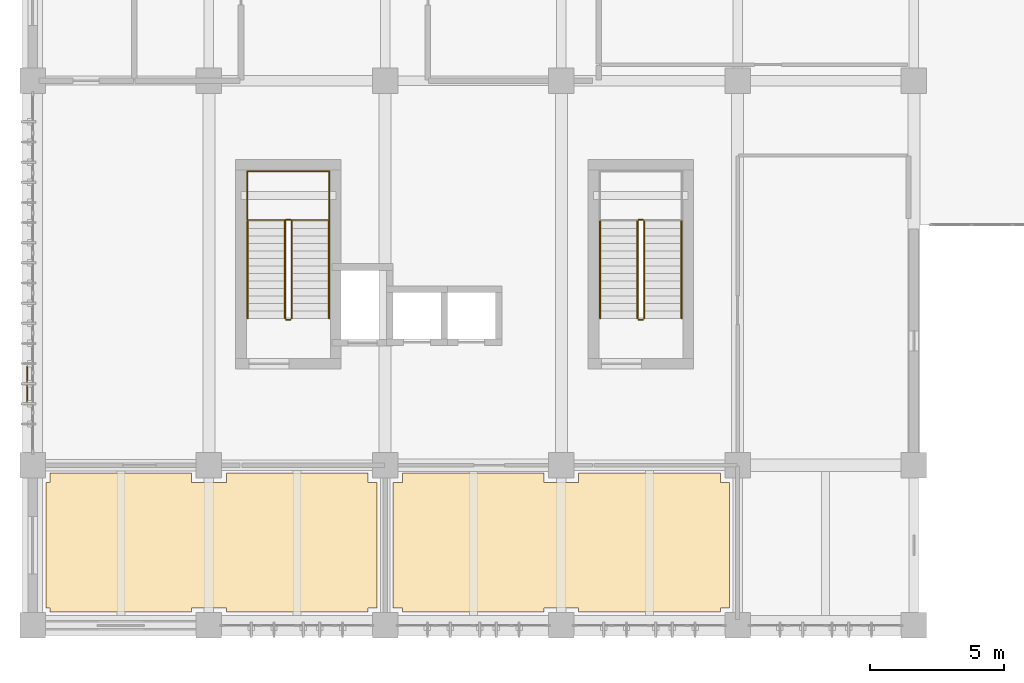
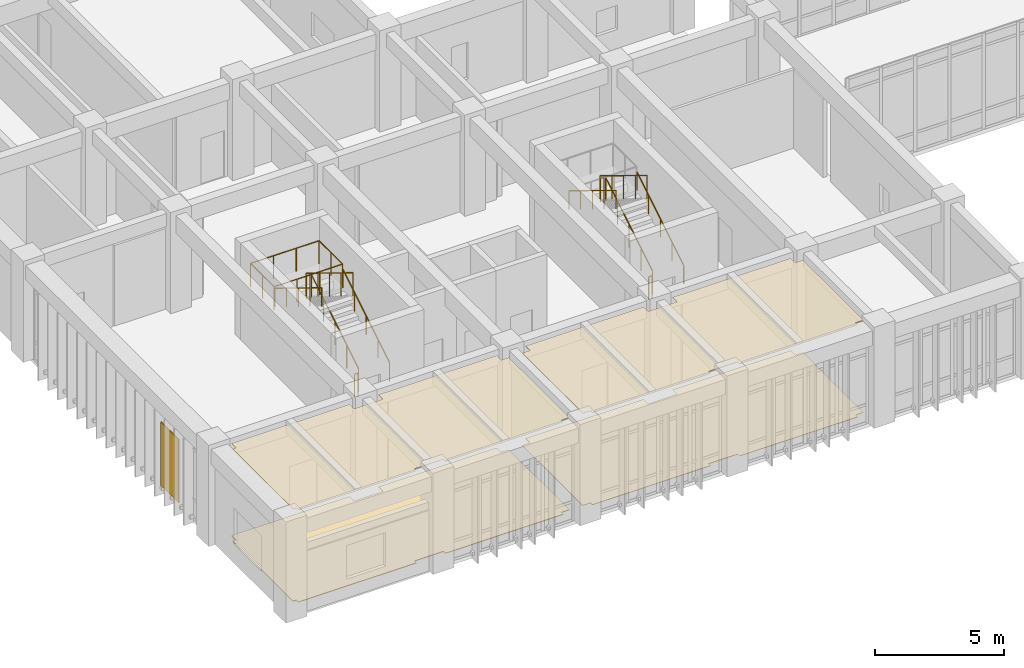
# One storey, part 60 of 68: 14 railings, 5 coverings.
"""IFC4 building model written with IfcOpenShell, lengths in metres."""

from ifc_helpers import new_model, si_unit, direction, frame, origin, origin_2d, place, context, subcontext, project, spatial, polyline, rectangle, circle, outline, extrude, material, layer, layer_set, type_object, element, save


model = new_model("IFC4")

# Units and contexts
model_context = context("Model", 3, precision=1e-05, world=origin(), true_north=direction((0.0, 1.0)))
body_context = subcontext(model_context, "Body", "Model", "MODEL_VIEW")
ifc_project = project(units=[si_unit("LENGTHUNIT", "METRE"), si_unit("AREAUNIT", "SQUARE_METRE"), si_unit("VOLUMEUNIT", "CUBIC_METRE"), si_unit("PLANEANGLEUNIT", "RADIAN"), si_unit("MASSUNIT", "GRAM", prefix="KILO")], contexts=[model_context])

# Site, building, storey
site_placement = place(None, origin())
site = spatial("IfcSite", under=ifc_project, at=site_placement, CompositionType="ELEMENT")
building_placement = place(site_placement, origin())
building = spatial("IfcBuilding", under=site, at=building_placement, Name="Miralva Faculty of Natural Sciences", CompositionType="ELEMENT")
storey_placement = place(building_placement, frame((0.0, 0.0, 5.39990234375)))
storey = spatial("IfcBuildingStorey", under=building, at=storey_placement, Name="L01", CompositionType="ELEMENT", Elevation=5.39990234375)

# Coverings
ifc_material_1 = material(Name="Volcanic tuff architectural stone", Category="masonry")
ifc_layer_1 = layer(ifc_material_1, 0.044921875, Name="COV-CD01")
ifc_layer_set_1 = layer_set([ifc_layer_1], Name="Volcanic tuff architectural stone")
covering_type_1 = type_object("IfcCoveringType", Name="COV-CD01", PredefinedType="CLADDING", material=ifc_layer_set_1)
covering_1_placement = place(storey_placement, frame((2.800048828125, 12.0, 0.300048828125), z_axis=(0.0, 0.0, 1.0), x_axis=(1.0, 0.0, 0.0)))
element("IfcCovering", 1, at=covering_1_placement, inside=storey, type_object=covering_type_1, Name="Volcanic tuff stone corner fascia cladding L01", PredefinedType="CLADDING", context=body_context, shape_type="SweptSolid", body=[
    extrude(rectangle(XDim=0.044921875, YDim=1.39990234375, at=origin_2d()), origin(), (0.0, 0.0, 1.0), 3.0),
])
ifc_material_2 = material(Name="Acoustic mineral-fibre board")
ifc_layer_2 = layer(ifc_material_2, 0.02197265625, Name="COV-CL01")
ifc_layer_set_2 = layer_set([ifc_layer_2], Name="Acoustic mineral-fibre board")
covering_type_2 = type_object("IfcCoveringType", Name="COV-CL01", PredefinedType="CEILING", material=ifc_layer_set_2)
covering_2_placement = place(storey_placement, frame((0.0, 0.0, 4.378173828125)))
element("IfcCovering", 2, at=covering_2_placement, inside=storey, type_object=covering_type_2, Name="Suspended acoustic ceiling L01-01", PredefinedType="CEILING", context=body_context, shape_type="SweptSolid", body=[
    extrude(outline(polyline([(10.25, 8.699951171875), (15.550048828125, 8.699951171875), (15.550048828125, 8.35009765625), (15.89990234375, 8.35009765625), (15.89990234375, 3.64990234375), (15.550048828125, 3.64990234375), (15.550048828125, 3.5), (10.25, 3.5), (10.25, 3.64990234375), (8.949951171875, 3.64990234375), (8.949951171875, 3.5), (3.64990234375, 3.5), (3.64990234375, 3.64990234375), (3.5, 3.64990234375), (3.5, 8.35009765625), (3.64990234375, 8.35009765625), (3.64990234375, 8.699951171875), (8.949951171875, 8.699951171875), (8.949951171875, 8.35009765625), (10.25, 8.35009765625), (10.25, 8.699951171875)])), origin(), (0.0, 0.0, 1.0), 0.02197265625),
])
ifc_material_3 = material(Name="Gypsum plasterboard")
ifc_layer_3 = layer(ifc_material_3, 0.028076171875, Name="COV-CL02")
ifc_layer_set_3 = layer_set([ifc_layer_3], Name="Gypsum plasterboard")
covering_type_3 = type_object("IfcCoveringType", Name="COV-CL02", PredefinedType="CEILING", material=ifc_layer_set_3)
covering_3_placement = place(storey_placement, frame((0.0, 0.0, 4.3720703125)))
element("IfcCovering", 3, at=covering_3_placement, inside=storey, type_object=covering_type_3, Name="Suspended acoustic ceiling L01-02", PredefinedType="CEILING", context=body_context, shape_type="SweptSolid", body=[
    extrude(outline(polyline([(16.85009765625, 3.64990234375), (16.5, 3.64990234375), (16.5, 8.35009765625), (16.85009765625, 8.35009765625), (16.85009765625, 8.699951171875), (22.14990234375, 8.699951171875), (22.14990234375, 8.35009765625), (23.449951171875, 8.35009765625), (23.449951171875, 8.699951171875), (28.75, 8.699951171875), (28.75, 8.35009765625), (29.10009765625, 8.35009765625), (29.10009765625, 3.64990234375), (28.75, 3.64990234375), (28.75, 3.5), (23.449951171875, 3.5), (23.449951171875, 3.64990234375), (22.14990234375, 3.64990234375), (22.14990234375, 3.5), (16.85009765625, 3.5), (16.85009765625, 3.64990234375)])), origin(), (0.0, 0.0, 1.0), 0.028076171875),
])
ifc_material_4 = material(Name="Polished terrazzo flooring")
ifc_layer_4 = layer(ifc_material_4, 0.030029296875, Name="COV-FL01")
ifc_layer_set_4 = layer_set([ifc_layer_4], Name="Polished terrazzo flooring")
covering_type_4 = type_object("IfcCoveringType", Name="COV-FL01", PredefinedType="FLOORING", material=ifc_layer_set_4)
covering_4_placement = place(storey_placement, origin())
element("IfcCovering", 4, at=covering_4_placement, inside=storey, type_object=covering_type_4, Name="Finished flooring L01-01", PredefinedType="FLOORING", context=body_context, shape_type="SweptSolid", body=[
    extrude(outline(polyline([(10.25, 8.699951171875), (15.550048828125, 8.699951171875), (15.550048828125, 8.35009765625), (15.89990234375, 8.35009765625), (15.89990234375, 3.64990234375), (15.550048828125, 3.64990234375), (15.550048828125, 3.5), (10.25, 3.5), (10.25, 3.64990234375), (8.949951171875, 3.64990234375), (8.949951171875, 3.5), (3.64990234375, 3.5), (3.64990234375, 3.64990234375), (3.5, 3.64990234375), (3.5, 8.35009765625), (3.64990234375, 8.35009765625), (3.64990234375, 8.699951171875), (8.949951171875, 8.699951171875), (8.949951171875, 8.35009765625), (10.25, 8.35009765625), (10.25, 8.699951171875)])), origin(), (0.0, 0.0, 1.0), 0.030029296875),
])
ifc_layer_5 = layer(ifc_material_4, 0.01806640625, Name="COV-FL02")
ifc_layer_set_5 = layer_set([ifc_layer_5], Name="Polished terrazzo flooring")
covering_type_5 = type_object("IfcCoveringType", Name="COV-FL02", PredefinedType="FLOORING", material=ifc_layer_set_5)
covering_5_placement = place(storey_placement, origin())
element("IfcCovering", 5, at=covering_5_placement, inside=storey, type_object=covering_type_5, Name="Finished flooring L01-02", PredefinedType="FLOORING", context=body_context, shape_type="SweptSolid", body=[
    extrude(outline(polyline([(16.85009765625, 3.64990234375), (16.5, 3.64990234375), (16.5, 8.35009765625), (16.85009765625, 8.35009765625), (16.85009765625, 8.699951171875), (22.14990234375, 8.699951171875), (22.14990234375, 8.35009765625), (23.449951171875, 8.35009765625), (23.449951171875, 8.699951171875), (28.75, 8.699951171875), (28.75, 8.35009765625), (29.10009765625, 8.35009765625), (29.10009765625, 3.64990234375), (28.75, 3.64990234375), (28.75, 3.5), (23.449951171875, 3.5), (23.449951171875, 3.64990234375), (22.14990234375, 3.64990234375), (22.14990234375, 3.5), (16.85009765625, 3.5), (16.85009765625, 3.64990234375)])), origin(), (0.0, 0.0, 1.0), 0.01806640625),
])

# Railings
ifc_material_5 = material(Name="Steel S355", Category="steel")
railing_type_1 = type_object("IfcRailingType", Name="RL-GR01", PredefinedType="GUARDRAIL", material=ifc_material_5)
railing_1_placement = place(storey_placement, frame((12.699951171875, 14.5, 0.171630859375)))
element("IfcRailing", 6, at=railing_1_placement, inside=storey, type_object=railing_type_1, Name="Stair Core C1 safety guard L01-1", PredefinedType="GUARDRAIL", context=body_context, shape_type="SweptSolid", body=[
    extrude(circle(Radius=0.02392578125, at=origin_2d()), frame((0.0, 0.0, 1.09619140625), z_axis=(0.0, 0.852850264322, 0.5221555579), x_axis=(-1.0, 0.0, 0.0)), (0.0, 0.0, 1.0), 4.267822265625),
    extrude(circle(Radius=0.02099609375, at=origin_2d()), origin(), (0.0, 0.0, 1.0), 1.072021484375),
    extrude(circle(Radius=0.02099609375, at=origin_2d()), frame((0.0, 0.909912109375, 0.55712890625)), (0.0, 0.0, 1.0), 1.072021484375),
    extrude(circle(Radius=0.02099609375, at=origin_2d()), frame((0.0, 1.81982421875, 1.1142578125)), (0.0, 0.0, 1.0), 1.072021484375),
    extrude(circle(Radius=0.02099609375, at=origin_2d()), frame((0.0, 2.72998046875, 1.67138671875)), (0.0, 0.0, 1.0), 1.072021484375),
    extrude(circle(Radius=0.02099609375, at=origin_2d()), frame((0.0, 3.639892578125, 2.228515625)), (0.0, 0.0, 1.0), 1.072021484375),
])
railing_2_placement = place(storey_placement, frame((12.64990234375, 18.18994140625, 2.400146484375)))
element("IfcRailing", 7, at=railing_2_placement, inside=storey, type_object=railing_type_1, Name="Stair Core C1 safety guard L01-2", PredefinedType="GUARDRAIL", context=body_context, shape_type="SweptSolid", body=[
    extrude(circle(Radius=0.02392578125, at=origin_2d()), frame((0.0, 0.0, 1.09619140625), z_axis=(-1.0, 0.0, 0.0), x_axis=(0.0, -1.0, 0.0)), (0.0, 0.0, 1.0), 0.14990234375),
    extrude(circle(Radius=0.02099609375, at=origin_2d()), origin(), (0.0, 0.0, 1.0), 1.072021484375),
    extrude(circle(Radius=0.02099609375, at=origin_2d()), frame((-0.14990234375, 0.0, 0.0)), (0.0, 0.0, 1.0), 1.072021484375),
])
railing_3_placement = place(storey_placement, frame((12.449951171875, 18.139892578125, 2.571533203125)))
element("IfcRailing", 8, at=railing_3_placement, inside=storey, type_object=railing_type_1, Name="Stair Core C1 safety guard L01-3", PredefinedType="GUARDRAIL", context=body_context, shape_type="SweptSolid", body=[
    extrude(circle(Radius=0.02392578125, at=origin_2d()), frame((0.0, 0.0, 1.09619140625), z_axis=(0.0, -0.852850264322, 0.5221555579), x_axis=(1.0, 0.0, 0.0)), (0.0, 0.0, 1.0), 4.267822265625),
    extrude(circle(Radius=0.02099609375, at=origin_2d()), origin(), (0.0, 0.0, 1.0), 1.072021484375),
    extrude(circle(Radius=0.02099609375, at=origin_2d()), frame((0.0, -0.909912109375, 0.55712890625)), (0.0, 0.0, 1.0), 1.072021484375),
    extrude(circle(Radius=0.02099609375, at=origin_2d()), frame((0.0, -1.81982421875, 1.1142578125)), (0.0, 0.0, 1.0), 1.072021484375),
    extrude(circle(Radius=0.02099609375, at=origin_2d()), frame((0.0, -2.72998046875, 1.67138671875)), (0.0, 0.0, 1.0), 1.072021484375),
    extrude(circle(Radius=0.02099609375, at=origin_2d()), frame((0.0, -3.639892578125, 2.228515625)), (0.0, 0.0, 1.0), 1.072021484375),
])
railing_4_placement = place(storey_placement, frame((12.64990234375, 14.449951171875, 0.0)))
element("IfcRailing", 9, at=railing_4_placement, inside=storey, type_object=railing_type_1, Name="Stair Core C1 safety guard L01-4", PredefinedType="GUARDRAIL", context=body_context, shape_type="SweptSolid", body=[
    extrude(circle(Radius=0.02392578125, at=origin_2d()), frame((0.0, 0.0, 1.09619140625), z_axis=(-1.0, 0.0, 0.0), x_axis=(0.0, -1.0, 0.0)), (0.0, 0.0, 1.0), 0.14990234375),
    extrude(circle(Radius=0.02099609375, at=origin_2d()), origin(), (0.0, 0.0, 1.0), 1.072021484375),
    extrude(circle(Radius=0.02099609375, at=origin_2d()), frame((-0.14990234375, 0.0, 0.0)), (0.0, 0.0, 1.0), 1.072021484375),
])
railing_5_placement = place(storey_placement, frame((11.0400390625, 18.179931640625, 2.400146484375)))
element("IfcRailing", 10, at=railing_5_placement, inside=storey, type_object=railing_type_1, Name="Stair Core C1 half-landing guard L01-1A", PredefinedType="GUARDRAIL", context=body_context, shape_type="SweptSolid", body=[
    extrude(circle(Radius=0.02392578125, at=origin_2d()), frame((0.0, 0.0, 1.09619140625), z_axis=(0.0, 1.0, 0.0), x_axis=(-1.0, 0.0, 0.0)), (0.0, 0.0, 1.0), 1.830078125),
    extrude(circle(Radius=0.02392578125, at=origin_2d()), frame((0.0, 1.830078125, 1.09619140625), z_axis=(1.0, 0.0, 0.0), x_axis=(0.0, 1.0, 0.0)), (0.0, 0.0, 1.0), 3.070068359375),
    extrude(circle(Radius=0.02099609375, at=origin_2d()), origin(), (0.0, 0.0, 1.0), 1.072021484375),
    extrude(circle(Radius=0.02099609375, at=origin_2d()), frame((0.0, 0.9150390625, 0.0)), (0.0, 0.0, 1.0), 1.072021484375),
    extrude(circle(Radius=0.02099609375, at=origin_2d()), frame((0.0, 1.830078125, 0.0)), (0.0, 0.0, 1.0), 1.072021484375),
    extrude(circle(Radius=0.02099609375, at=origin_2d()), frame((1.0234375, 1.830078125, 0.0)), (0.0, 0.0, 1.0), 1.072021484375),
    extrude(circle(Radius=0.02099609375, at=origin_2d()), frame((2.046630859375, 1.830078125, 0.0)), (0.0, 0.0, 1.0), 1.072021484375),
    extrude(circle(Radius=0.02099609375, at=origin_2d()), frame((3.070068359375, 1.830078125, 0.0)), (0.0, 0.0, 1.0), 1.072021484375),
])
railing_6_placement = place(storey_placement, frame((14.110107421875, 20.010009765625, 2.400146484375)))
element("IfcRailing", 11, at=railing_6_placement, inside=storey, type_object=railing_type_1, Name="Stair Core C1 half-landing guard L01-1B", PredefinedType="GUARDRAIL", context=body_context, shape_type="SweptSolid", body=[
    extrude(circle(Radius=0.02392578125, at=origin_2d()), frame((0.0, 0.0, 1.09619140625), z_axis=(0.0, -1.0, 0.0), x_axis=(1.0, 0.0, 0.0)), (0.0, 0.0, 1.0), 1.830078125),
    extrude(circle(Radius=0.02392578125, at=origin_2d()), frame((0.0, -1.830078125, 1.09619140625), z_axis=(-1.0, 0.0, 0.0), x_axis=(0.0, -1.0, 0.0)), (0.0, 0.0, 1.0), 3.070068359375),
    extrude(circle(Radius=0.02099609375, at=origin_2d()), origin(), (0.0, 0.0, 1.0), 1.072021484375),
    extrude(circle(Radius=0.02099609375, at=origin_2d()), frame((0.0, -0.9150390625, 0.0)), (0.0, 0.0, 1.0), 1.072021484375),
    extrude(circle(Radius=0.02099609375, at=origin_2d()), frame((0.0, -1.830078125, 0.0)), (0.0, 0.0, 1.0), 1.072021484375),
    extrude(circle(Radius=0.02099609375, at=origin_2d()), frame((-1.0234375, -1.830078125, 0.0)), (0.0, 0.0, 1.0), 1.072021484375),
    extrude(circle(Radius=0.02099609375, at=origin_2d()), frame((-2.046630859375, -1.830078125, 0.0)), (0.0, 0.0, 1.0), 1.072021484375),
    extrude(circle(Radius=0.02099609375, at=origin_2d()), frame((-3.070068359375, -1.830078125, 0.0)), (0.0, 0.0, 1.0), 1.072021484375),
])
railing_7_placement = place(storey_placement, frame((25.89990234375, 14.5, 0.171630859375)))
element("IfcRailing", 12, at=railing_7_placement, inside=storey, type_object=railing_type_1, Name="Stair Core C1B safety guard L01-1", PredefinedType="GUARDRAIL", context=body_context, shape_type="SweptSolid", body=[
    extrude(circle(Radius=0.02392578125, at=origin_2d()), frame((0.0, 0.0, 1.09619140625), z_axis=(0.0, 0.852850264322, 0.5221555579), x_axis=(-1.0, 0.0, 0.0)), (0.0, 0.0, 1.0), 4.267822265625),
    extrude(circle(Radius=0.02099609375, at=origin_2d()), origin(), (0.0, 0.0, 1.0), 1.072021484375),
    extrude(circle(Radius=0.02099609375, at=origin_2d()), frame((0.0, 0.909912109375, 0.55712890625)), (0.0, 0.0, 1.0), 1.072021484375),
    extrude(circle(Radius=0.02099609375, at=origin_2d()), frame((0.0, 1.81982421875, 1.1142578125)), (0.0, 0.0, 1.0), 1.072021484375),
    extrude(circle(Radius=0.02099609375, at=origin_2d()), frame((0.0, 2.72998046875, 1.67138671875)), (0.0, 0.0, 1.0), 1.072021484375),
    extrude(circle(Radius=0.02099609375, at=origin_2d()), frame((0.0, 3.639892578125, 2.228515625)), (0.0, 0.0, 1.0), 1.072021484375),
])
railing_8_placement = place(storey_placement, frame((25.85009765625, 18.18994140625, 2.400146484375)))
element("IfcRailing", 13, at=railing_8_placement, inside=storey, type_object=railing_type_1, Name="Stair Core C1B safety guard L01-2", PredefinedType="GUARDRAIL", context=body_context, shape_type="SweptSolid", body=[
    extrude(circle(Radius=0.02392578125, at=origin_2d()), frame((0.0, 0.0, 1.09619140625), z_axis=(-1.0, 0.0, 0.0), x_axis=(0.0, -1.0, 0.0)), (0.0, 0.0, 1.0), 0.150146484375),
    extrude(circle(Radius=0.02099609375, at=origin_2d()), origin(), (0.0, 0.0, 1.0), 1.072021484375),
    extrude(circle(Radius=0.02099609375, at=origin_2d()), frame((-0.150146484375, 0.0, 0.0)), (0.0, 0.0, 1.0), 1.072021484375),
])
railing_9_placement = place(storey_placement, frame((25.64990234375, 18.139892578125, 2.571533203125)))
element("IfcRailing", 14, at=railing_9_placement, inside=storey, type_object=railing_type_1, Name="Stair Core C1B safety guard L01-3", PredefinedType="GUARDRAIL", context=body_context, shape_type="SweptSolid", body=[
    extrude(circle(Radius=0.02392578125, at=origin_2d()), frame((0.0, 0.0, 1.09619140625), z_axis=(0.0, -0.852850264322, 0.5221555579), x_axis=(1.0, 0.0, 0.0)), (0.0, 0.0, 1.0), 4.267822265625),
    extrude(circle(Radius=0.02099609375, at=origin_2d()), origin(), (0.0, 0.0, 1.0), 1.072021484375),
    extrude(circle(Radius=0.02099609375, at=origin_2d()), frame((0.0, -0.909912109375, 0.55712890625)), (0.0, 0.0, 1.0), 1.072021484375),
    extrude(circle(Radius=0.02099609375, at=origin_2d()), frame((0.0, -1.81982421875, 1.1142578125)), (0.0, 0.0, 1.0), 1.072021484375),
    extrude(circle(Radius=0.02099609375, at=origin_2d()), frame((0.0, -2.72998046875, 1.67138671875)), (0.0, 0.0, 1.0), 1.072021484375),
    extrude(circle(Radius=0.02099609375, at=origin_2d()), frame((0.0, -3.639892578125, 2.228515625)), (0.0, 0.0, 1.0), 1.072021484375),
])
railing_10_placement = place(storey_placement, frame((25.85009765625, 14.449951171875, 0.0)))
element("IfcRailing", 15, at=railing_10_placement, inside=storey, type_object=railing_type_1, Name="Stair Core C1B safety guard L01-4", PredefinedType="GUARDRAIL", context=body_context, shape_type="SweptSolid", body=[
    extrude(circle(Radius=0.02392578125, at=origin_2d()), frame((0.0, 0.0, 1.09619140625), z_axis=(-1.0, 0.0, 0.0), x_axis=(0.0, -1.0, 0.0)), (0.0, 0.0, 1.0), 0.150146484375),
    extrude(circle(Radius=0.02099609375, at=origin_2d()), origin(), (0.0, 0.0, 1.0), 1.072021484375),
    extrude(circle(Radius=0.02099609375, at=origin_2d()), frame((-0.150146484375, 0.0, 0.0)), (0.0, 0.0, 1.0), 1.072021484375),
])
railing_type_2 = type_object("IfcRailingType", Name="RL-HR01", PredefinedType="HANDRAIL", material=ifc_material_5)
railing_11_placement = place(storey_placement, frame((14.10009765625, 14.5, 0.171630859375)))
element("IfcRailing", 16, at=railing_11_placement, inside=storey, type_object=railing_type_2, Name="Stair Core C1 handrail L01-1", PredefinedType="HANDRAIL", context=body_context, shape_type="SweptSolid", body=[
    extrude(circle(Radius=0.02392578125, at=origin_2d()), frame((0.0, 0.0, 0.8759765625), z_axis=(0.0, 0.852850264322, 0.5221555579), x_axis=(-1.0, 0.0, 0.0)), (0.0, 0.0, 1.0), 4.267822265625),
    extrude(circle(Radius=0.02099609375, at=origin_2d()), origin(), (0.0, 0.0, 1.0), 0.851806640625),
    extrude(circle(Radius=0.02099609375, at=origin_2d()), frame((0.0, 0.909912109375, 0.55712890625)), (0.0, 0.0, 1.0), 0.851806640625),
    extrude(circle(Radius=0.02099609375, at=origin_2d()), frame((0.0, 1.81982421875, 1.1142578125)), (0.0, 0.0, 1.0), 0.851806640625),
    extrude(circle(Radius=0.02099609375, at=origin_2d()), frame((0.0, 2.72998046875, 1.67138671875)), (0.0, 0.0, 1.0), 0.851806640625),
    extrude(circle(Radius=0.02099609375, at=origin_2d()), frame((0.0, 3.639892578125, 2.228515625)), (0.0, 0.0, 1.0), 0.851806640625),
])
railing_12_placement = place(storey_placement, frame((11.050048828125, 18.139892578125, 2.571533203125)))
element("IfcRailing", 17, at=railing_12_placement, inside=storey, type_object=railing_type_2, Name="Stair Core C1 handrail L01-2", PredefinedType="HANDRAIL", context=body_context, shape_type="SweptSolid", body=[
    extrude(circle(Radius=0.02392578125, at=origin_2d()), frame((0.0, 0.0, 0.8759765625), z_axis=(0.0, -0.852850264322, 0.5221555579), x_axis=(1.0, 0.0, 0.0)), (0.0, 0.0, 1.0), 4.267822265625),
    extrude(circle(Radius=0.02099609375, at=origin_2d()), origin(), (0.0, 0.0, 1.0), 0.851806640625),
    extrude(circle(Radius=0.02099609375, at=origin_2d()), frame((0.0, -0.909912109375, 0.55712890625)), (0.0, 0.0, 1.0), 0.851806640625),
    extrude(circle(Radius=0.02099609375, at=origin_2d()), frame((0.0, -1.81982421875, 1.1142578125)), (0.0, 0.0, 1.0), 0.851806640625),
    extrude(circle(Radius=0.02099609375, at=origin_2d()), frame((0.0, -2.72998046875, 1.67138671875)), (0.0, 0.0, 1.0), 0.851806640625),
    extrude(circle(Radius=0.02099609375, at=origin_2d()), frame((0.0, -3.639892578125, 2.228515625)), (0.0, 0.0, 1.0), 0.851806640625),
])
railing_13_placement = place(storey_placement, frame((27.300048828125, 14.5, 0.171630859375)))
element("IfcRailing", 18, at=railing_13_placement, inside=storey, type_object=railing_type_2, Name="Stair Core C1B handrail L01-1", PredefinedType="HANDRAIL", context=body_context, shape_type="SweptSolid", body=[
    extrude(circle(Radius=0.02392578125, at=origin_2d()), frame((0.0, 0.0, 0.8759765625), z_axis=(0.0, 0.852850264322, 0.5221555579), x_axis=(-1.0, 0.0, 0.0)), (0.0, 0.0, 1.0), 4.267822265625),
    extrude(circle(Radius=0.02099609375, at=origin_2d()), origin(), (0.0, 0.0, 1.0), 0.851806640625),
    extrude(circle(Radius=0.02099609375, at=origin_2d()), frame((0.0, 0.909912109375, 0.55712890625)), (0.0, 0.0, 1.0), 0.851806640625),
    extrude(circle(Radius=0.02099609375, at=origin_2d()), frame((0.0, 1.81982421875, 1.1142578125)), (0.0, 0.0, 1.0), 0.851806640625),
    extrude(circle(Radius=0.02099609375, at=origin_2d()), frame((0.0, 2.72998046875, 1.67138671875)), (0.0, 0.0, 1.0), 0.851806640625),
    extrude(circle(Radius=0.02099609375, at=origin_2d()), frame((0.0, 3.639892578125, 2.228515625)), (0.0, 0.0, 1.0), 0.851806640625),
])
railing_14_placement = place(storey_placement, frame((24.25, 18.139892578125, 2.571533203125)))
element("IfcRailing", 19, at=railing_14_placement, inside=storey, type_object=railing_type_2, Name="Stair Core C1B handrail L01-2", PredefinedType="HANDRAIL", context=body_context, shape_type="SweptSolid", body=[
    extrude(circle(Radius=0.02392578125, at=origin_2d()), frame((0.0, 0.0, 0.8759765625), z_axis=(0.0, -0.852850264322, 0.5221555579), x_axis=(1.0, 0.0, 0.0)), (0.0, 0.0, 1.0), 4.267822265625),
    extrude(circle(Radius=0.02099609375, at=origin_2d()), origin(), (0.0, 0.0, 1.0), 0.851806640625),
    extrude(circle(Radius=0.02099609375, at=origin_2d()), frame((0.0, -0.909912109375, 0.55712890625)), (0.0, 0.0, 1.0), 0.851806640625),
    extrude(circle(Radius=0.02099609375, at=origin_2d()), frame((0.0, -1.81982421875, 1.1142578125)), (0.0, 0.0, 1.0), 0.851806640625),
    extrude(circle(Radius=0.02099609375, at=origin_2d()), frame((0.0, -2.72998046875, 1.67138671875)), (0.0, 0.0, 1.0), 0.851806640625),
    extrude(circle(Radius=0.02099609375, at=origin_2d()), frame((0.0, -3.639892578125, 2.228515625)), (0.0, 0.0, 1.0), 0.851806640625),
])

save(model, "model.ifc")
